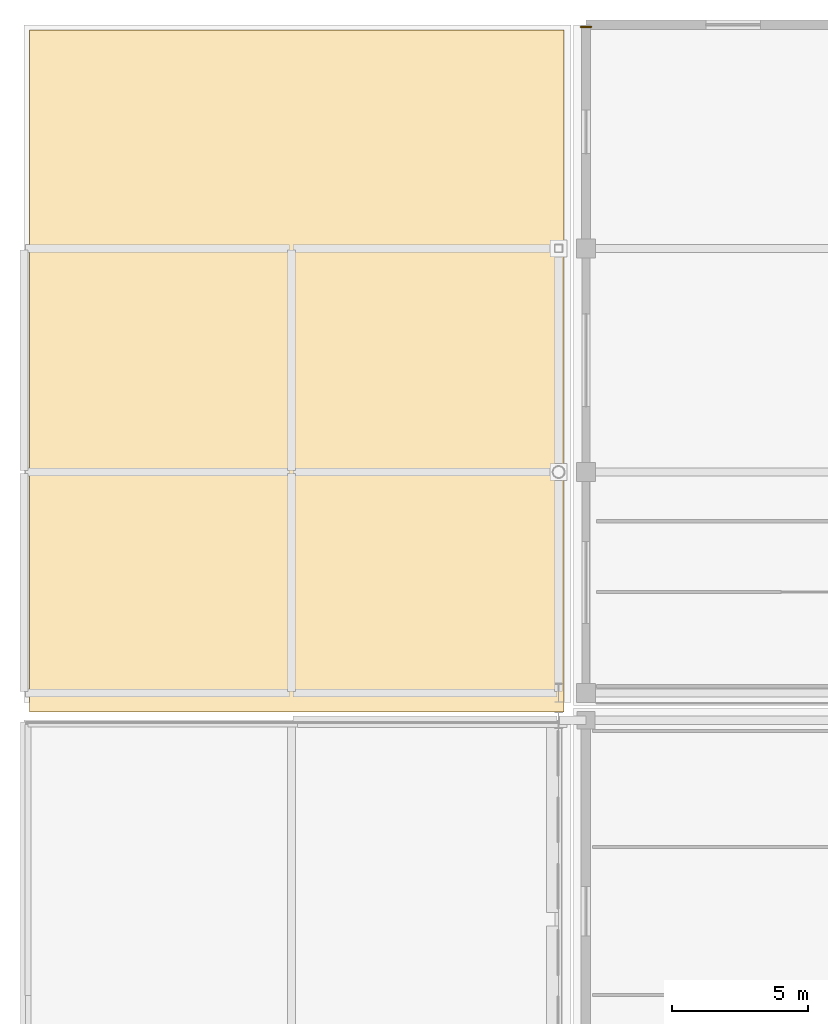
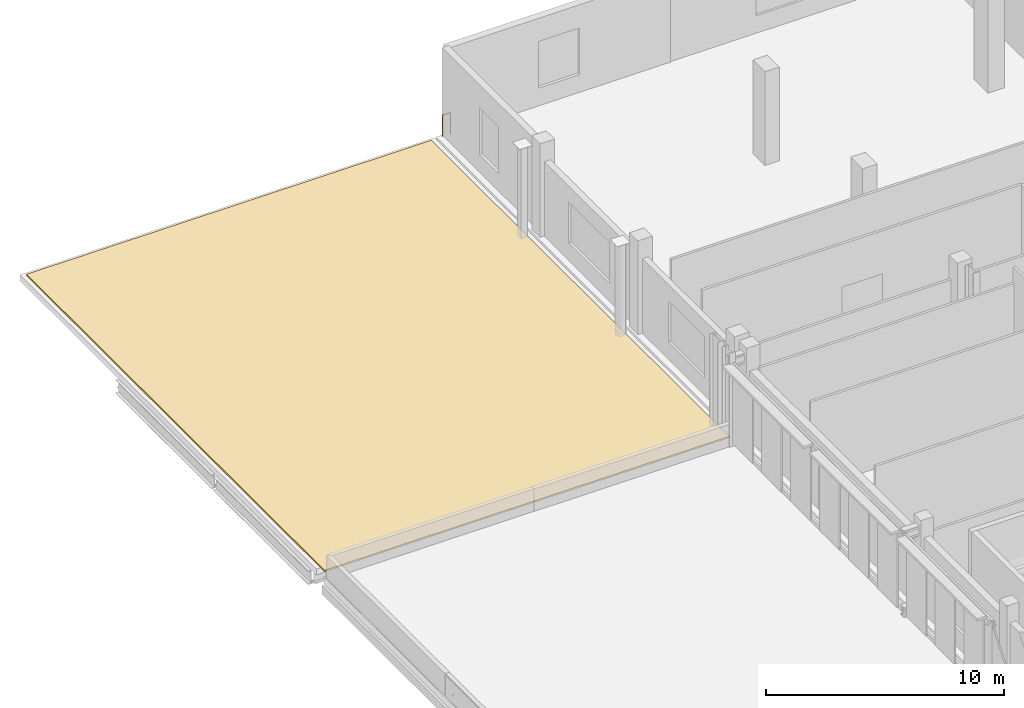
# One storey, part 72 of 74: 1 covering, 1 railing.
"""IFC4 building model written with IfcOpenShell, lengths in metres."""

from ifc_helpers import new_model, si_unit, direction, frame, origin, origin_2d, place, context, subcontext, project, spatial, polyline, circle, outline, extrude, material, layer, layer_set, type_object, element, save


model = new_model("IFC4")

# Units and contexts
model_context = context("Model", 3, precision=1e-05, world=origin(), true_north=direction((0.0, 1.0)))
body_context = subcontext(model_context, "Body", "Model", "MODEL_VIEW")
ifc_project = project(units=[si_unit("LENGTHUNIT", "METRE"), si_unit("AREAUNIT", "SQUARE_METRE"), si_unit("VOLUMEUNIT", "CUBIC_METRE"), si_unit("PLANEANGLEUNIT", "RADIAN"), si_unit("MASSUNIT", "GRAM", prefix="KILO")], contexts=[model_context])

# Site, building, storey
site_placement = place(None, origin())
site = spatial("IfcSite", under=ifc_project, at=site_placement, CompositionType="ELEMENT")
building_placement = place(site_placement, origin())
building = spatial("IfcBuilding", under=site, at=building_placement, Name="Koshinbarg Plaza Stadium", CompositionType="ELEMENT")
storey_placement = place(building_placement, frame((0.0, 0.0, 15.0)))
storey = spatial("IfcBuildingStorey", under=building, at=storey_placement, Name="L03", CompositionType="ELEMENT", Elevation=15.0)

# Covering
ifc_material_1 = material(Name="EPDM waterproofing membrane and rigid mineral-wool roof insulation")
ifc_layer = layer(ifc_material_1, 0.080078125)
ifc_layer_set = layer_set([ifc_layer], Name="EPDM waterproofing membrane and rigid mineral-wool roof insulation")
covering_type = type_object("IfcCoveringType", Name="COV-ROOFING-01", PredefinedType="ROOFING", material=ifc_layer_set)
covering_placement = place(storey_placement, origin())
element("IfcCovering", 1, at=covering_placement, inside=storey, type_object=covering_type, Name="L03 insulated membrane roofing RFG-V5-N", PredefinedType="ROOFING", context=body_context, shape_type="SweptSolid", body=[
    extrude(outline(polyline([(4.199951171875, 126.800048828125), (23.800048828125, 126.800048828125), (23.800048828125, 151.800048828125), (4.199951171875, 151.800048828125), (4.199951171875, 126.800048828125)])), origin(), (0.0, 0.0, 1.0), 0.080078125),
])

# Railing
ifc_material_2 = material(Name="Toughened laminated glass and stainless steel sightline balustrade", Category="steel")
railing_type = type_object("IfcRailingType", Name="RL-BOWL-1100", PredefinedType="BALUSTRADE", material=ifc_material_2)
railing_placement = place(storey_placement, frame((24.4150390625, 151.919921875, 0.0)))
element("IfcRailing", 2, at=railing_placement, inside=storey, type_object=railing_type, Name="L03 deck edge safety balustrade 0257", PredefinedType="BALUSTRADE", context=body_context, shape_type="SweptSolid", body=[
    extrude(circle(Radius=0.02392578125, at=origin_2d()), frame((0.0, 0.0, 1.076171875), z_axis=(1.0, 0.0, 0.0), x_axis=(0.0, 1.0, 0.0)), (0.0, 0.0, 1.0), 0.379638671875),
    extrude(circle(Radius=0.02099609375, at=origin_2d()), origin(), (0.0, 0.0, 1.0), 1.052001953125),
    extrude(circle(Radius=0.02099609375, at=origin_2d()), frame((0.379638671875, 0.0, 0.0)), (0.0, 0.0, 1.0), 1.052001953125),
])

save(model, "model.ifc")
